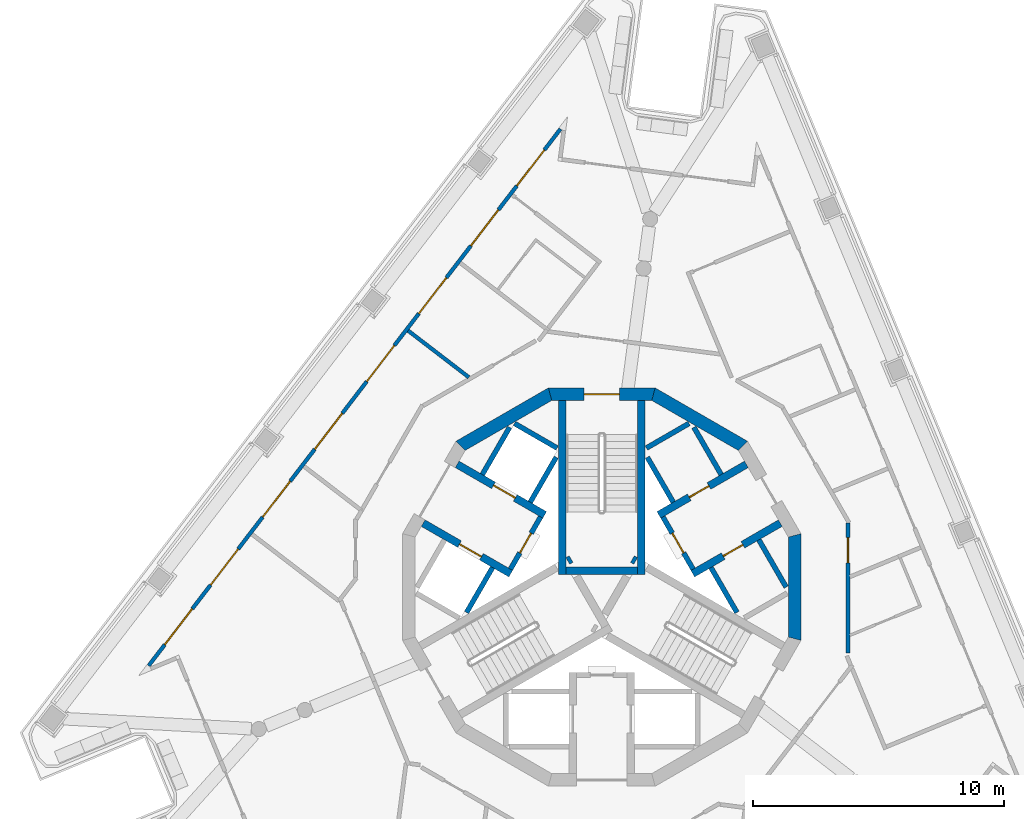
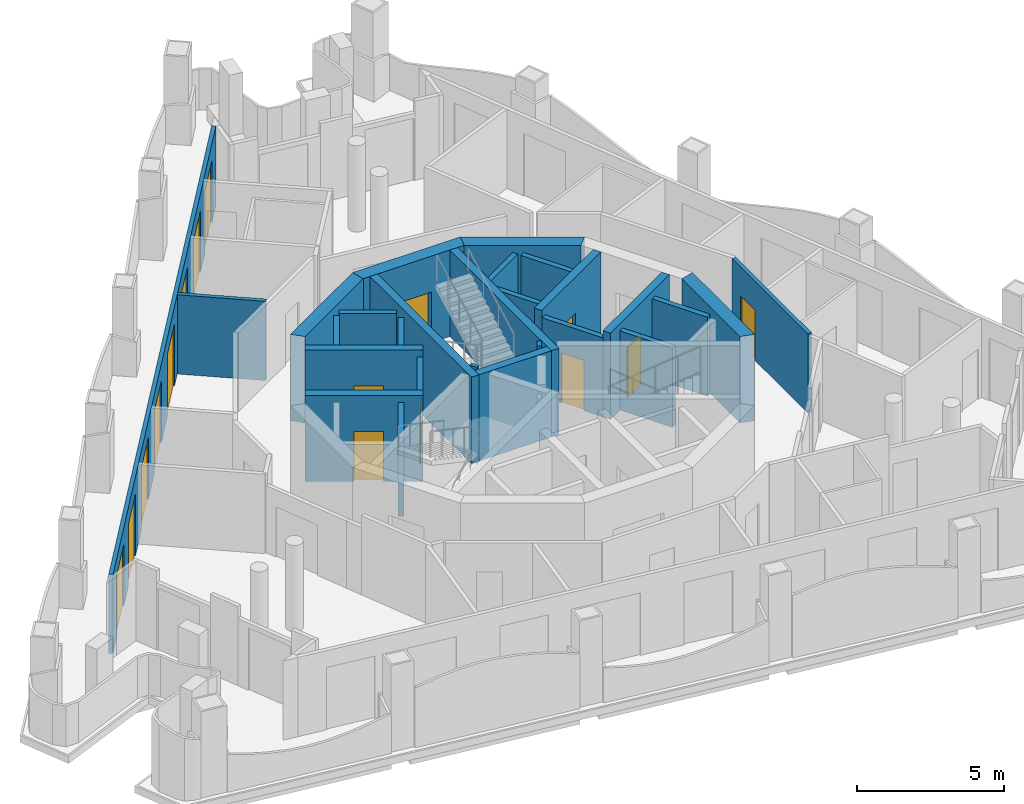
# One storey, part 4 of 12: 27 walls, 16 doors, 16 openings.
"""IFC4 building model written with IfcOpenShell, lengths in metres."""

import ifcopenshell
import ifcopenshell.guid

model = None  # the IFC model being written
_history = None  # IfcOwnerHistory: only IFC2X3 demands one
_inside = {}  # id of a spatial element -> (the spatial element, [elements in it])
_under = {}  # id of a project, library or spatial element -> (it, [spatial elements below it])
_declared = {}  # id of a project -> (the project, [libraries it declares])
_typed = {}  # id of a type object -> (the type object, [elements of that type])
_made_of = {}  # id of a material, layer set ... -> (it, [elements and type objects made of it])


def new_model(schema):
    """Start an empty IFC model of exactly this schema.

    Asked for "IFC4X3", IfcOpenShell would pick the latest addendum, in which some entities
    have other attributes; the version numbers below select the first issue.
    IFC2X3 requires an IfcOwnerHistory on every rooted entity: one is made here for all.
    """
    global model, _history
    if schema == "IFC4X3":
        model = ifcopenshell.file(schema_version=(4, 3, 0, 0))
    else:
        model = ifcopenshell.file(schema=schema)
    _inside.clear()
    _under.clear()
    _declared.clear()
    _typed.clear()
    _made_of.clear()
    _history = None
    if model.schema == "IFC2X3":
        org = make("IfcOrganization", Name="unknown")
        user = make(
            "IfcPersonAndOrganization",
            ThePerson=make("IfcPerson", FamilyName="unknown"),
            TheOrganization=org,
        )
        app = make(
            "IfcApplication",
            ApplicationDeveloper=org,
            Version="unknown",
            ApplicationFullName="unknown",
            ApplicationIdentifier="unknown",
        )
        _history = make(
            "IfcOwnerHistory",
            OwningUser=user,
            OwningApplication=app,
            ChangeAction="ADDED",
            CreationDate=0,
        )
    return model


def make(cls, **values):
    """One entity of the class cls with the attributes given. An attribute that is None is left unset."""
    return model.create_entity(
        cls, **{name: value for name, value in values.items() if value is not None}
    )


def rooted(cls, **values):
    """An entity with a GlobalId (a new one), such as an element, a storey or a relation."""
    return make(cls, GlobalId=ifcopenshell.guid.new(), OwnerHistory=_history, **values)


def si_unit(unit_type, name, prefix=None):
    """IfcSIUnit, for example si_unit("LENGTHUNIT", "METRE", prefix="MILLI")."""
    return make("IfcSIUnit", UnitType=unit_type, Prefix=prefix, Name=name)


def assignment(units):
    """IfcUnitAssignment: the units of a project."""
    return None if units is None else make("IfcUnitAssignment", Units=units)


def point(xyz):
    """IfcCartesianPoint."""
    return None if xyz is None else make("IfcCartesianPoint", Coordinates=xyz)


def direction(xyz):
    """IfcDirection."""
    return None if xyz is None else make("IfcDirection", DirectionRatios=xyz)


def frame(location, z_axis=None, x_axis=None):
    """IfcAxis2Placement3D, a coordinate frame: its origin and axes. An axis left out is left unset."""
    return make(
        "IfcAxis2Placement3D",
        Location=point(location),
        Axis=direction(z_axis),
        RefDirection=direction(x_axis),
    )


def frame_2d(location, x_axis=None):
    """IfcAxis2Placement2D, a coordinate frame in the plane: its origin and x axis."""
    return make(
        "IfcAxis2Placement2D", Location=point(location), RefDirection=direction(x_axis)
    )


def origin():
    """The frame at (0, 0, 0) with its axes left unset."""
    return frame((0.0, 0.0, 0.0))


def place(relative_to, where):
    """IfcLocalPlacement: puts the frame where relative to a parent placement (None: the world)."""
    return make(
        "IfcLocalPlacement", PlacementRelTo=relative_to, RelativePlacement=where
    )


def context(
    kind, dimensions, precision=None, world=None, true_north=None, identifier=None
):
    """IfcGeometricRepresentationContext, for example the 3D "Model" context."""
    return make(
        "IfcGeometricRepresentationContext",
        ContextIdentifier=identifier,
        ContextType=kind,
        CoordinateSpaceDimension=dimensions,
        Precision=precision,
        WorldCoordinateSystem=world,
        TrueNorth=true_north,
    )


def subcontext(parent, identifier, kind, view, scale=None):
    """IfcGeometricRepresentationSubContext, for example "Body" below "Model"."""
    return make(
        "IfcGeometricRepresentationSubContext",
        ContextIdentifier=identifier,
        ContextType=kind,
        ParentContext=parent,
        TargetScale=scale,
        TargetView=view,
    )


def project(units=None, contexts=None):
    """IfcProject with its units and contexts."""
    return rooted(
        "IfcProject",
        Name="project",
        RepresentationContexts=contexts,
        UnitsInContext=assignment(units),
    )


def spatial(cls, under=None, at=None, **own):
    """A site, building, storey or space (cls), placed at a placement, below another one or the project."""
    s = rooted(cls, ObjectPlacement=at, **own)
    if under is not None:
        _under.setdefault(under.id(), (under, []))[1].append(s)
    return s


def polyline(points):
    """IfcPolyline through the points."""
    return make("IfcPolyline", Points=[point(p) for p in points])


def profile(cls, at=None, kind="AREA", **sizes):
    """A parametric profile (cls). Its sizes go by their IFC names, for example OverallWidth=200.0."""
    return make(cls, ProfileType=kind, Position=at, **sizes)


def rectangle(**sizes):
    """IfcRectangleProfileDef."""
    return profile("IfcRectangleProfileDef", **sizes)


def outline(outer, holes=None, kind="AREA"):
    """IfcArbitraryClosedProfileDef: a profile drawn as a closed curve; with holes, ...WithVoids."""
    if holes is None:
        return make("IfcArbitraryClosedProfileDef", ProfileType=kind, OuterCurve=outer)
    return make(
        "IfcArbitraryProfileDefWithVoids",
        ProfileType=kind,
        OuterCurve=outer,
        InnerCurves=holes,
    )


def extrude(swept, where, along, depth):
    """IfcExtrudedAreaSolid: the profile swept, set in the frame where, extruded along a direction by depth."""
    return make(
        "IfcExtrudedAreaSolid",
        SweptArea=swept,
        Position=where,
        ExtrudedDirection=direction(along),
        Depth=depth,
    )


def shape(context_of_items, identifier, shape_type, items):
    """IfcShapeRepresentation: the items that make up one representation, for example the "Body"."""
    return make(
        "IfcShapeRepresentation",
        ContextOfItems=context_of_items,
        RepresentationIdentifier=identifier,
        RepresentationType=shape_type,
        Items=items,
    )


def material(Name=None, Category=None):
    """IfcMaterial."""
    return make("IfcMaterial", Name=Name, Category=Category)


def layer(
    of_material, thickness, ventilated=None, Name=None, Category=None, Priority=None
):
    """IfcMaterialLayer: one layer of a wall or slab, of a material (None: an air gap)."""
    return make(
        "IfcMaterialLayer",
        Material=of_material,
        LayerThickness=thickness,
        IsVentilated=ventilated,
        Name=Name,
        Category=Category,
        Priority=Priority,
    )


def layer_set(layers, Name=None):
    """IfcMaterialLayerSet."""
    return make("IfcMaterialLayerSet", MaterialLayers=layers, LayerSetName=Name)


def made_of(thing, what):
    """Note that an element or type object is made of a material, layer set ...; save() writes the relation."""
    if what is not None:
        _made_of.setdefault(what.id(), (what, []))[1].append(thing)
    return thing


def type_object(cls, material=None, **own):
    """A type object (cls), such as IfcWallType, which elements share."""
    return made_of(rooted(cls, **own), material)


def element(
    cls,
    number,
    at=None,
    inside=None,
    cuts=None,
    type_object=None,
    material=None,
    context=None,
    identifier="Body",
    shape_type=None,
    held_by="IfcProductDefinitionShape",
    body=None,
    shapes=None,
    **own,
):
    """One element of the class cls, such as IfcWall. Its Tag is "e" and its number.

    at: its placement. inside: the storey or other place that contains it. cuts: it is an
    opening in that element (IfcRelVoidsElement). A single representation is given by context,
    identifier, shape_type and body (its items); several are given by shapes. held_by: the class
    of the entity that holds the representations. save() writes the other relations.
    """
    e = rooted(cls, Tag="e%d" % number, ObjectPlacement=at, **own)
    if body is not None:
        shapes = [shape(context, identifier, shape_type, body)]
    if shapes is not None:
        e.Representation = make(held_by, Representations=shapes)
    if inside is not None:
        _inside.setdefault(inside.id(), (inside, []))[1].append(e)
    if cuts is not None:
        rooted(
            "IfcRelVoidsElement", RelatingBuildingElement=cuts, RelatedOpeningElement=e
        )
    if type_object is not None:
        _typed.setdefault(type_object.id(), (type_object, []))[1].append(e)
    return made_of(e, material)


def fill(opening, filler):
    """IfcRelFillsElement: the door or window that sits in an opening."""
    return rooted(
        "IfcRelFillsElement",
        RelatingOpeningElement=opening,
        RelatedBuildingElement=filler,
    )


def aggregate(whole, parts):
    """IfcRelAggregates: a whole, such as a stair, and the parts it consists of."""
    return rooted("IfcRelAggregates", RelatingObject=whole, RelatedObjects=parts)


def save(model, path):
    """Write the relations noted so far, then the file.

    IfcRelAggregates (storeys below a building ...), IfcRelContainedInSpatialStructure (elements
    in a storey), IfcRelDefinesByType, IfcRelAssociatesMaterial and IfcRelDeclares: one each for
    every whole, place, type object, material and project.
    """
    for whole, parts in _under.values():
        aggregate(whole, parts)
    for where, things in _inside.values():
        rooted(
            "IfcRelContainedInSpatialStructure",
            RelatedElements=things,
            RelatingStructure=where,
        )
    for kind, things in _typed.values():
        rooted("IfcRelDefinesByType", RelatedObjects=things, RelatingType=kind)
    for what, things in _made_of.values():
        rooted("IfcRelAssociatesMaterial", RelatedObjects=things, RelatingMaterial=what)
    for by, libraries in _declared.values():
        rooted("IfcRelDeclares", RelatingContext=by, RelatedDefinitions=libraries)
    model.write(path)


model = new_model("IFC4")

# Units and contexts
model_context = context("Model", 3, precision=1e-05, world=origin(), true_north=direction((0.0, 1.0)))
body_context = subcontext(model_context, "Body", "Model", "MODEL_VIEW")
ifc_project = project(units=[si_unit("LENGTHUNIT", "METRE"), si_unit("AREAUNIT", "SQUARE_METRE"), si_unit("VOLUMEUNIT", "CUBIC_METRE"), si_unit("PLANEANGLEUNIT", "RADIAN"), si_unit("MASSUNIT", "GRAM", prefix="KILO")], contexts=[model_context])

# Site, building, storey
site_placement = place(None, origin())
site = spatial("IfcSite", under=ifc_project, at=site_placement, CompositionType="ELEMENT")
building_placement = place(site_placement, origin())
building = spatial("IfcBuilding", under=site, at=building_placement, Name="Trine Commons Tower", CompositionType="ELEMENT")
storey_placement = place(building_placement, frame((0.0, 0.0, 282.60009765625)))
storey = spatial("IfcBuildingStorey", under=building, at=storey_placement, Name="L74", CompositionType="ELEMENT", Elevation=282.60009765625)

# Wall, openings, doors
ifc_material_1 = material(Name="Aluminium-framed insulated wall panel", Category="aluminium")
ifc_layer_1 = layer(ifc_material_1, 0.14990234375)
ifc_layer_set_1 = layer_set([ifc_layer_1], Name="Aluminium-framed insulated wall panel")
wall_type_1 = type_object("IfcWallType", Name="Glazed frame wall 150, EI 60", PredefinedType="SOLIDWALL", material=ifc_layer_set_1)
wall_1_placement = place(storey_placement, frame((61.8876953125, 59.251708984375, 0.0), z_axis=(0.0, 0.0, 1.0), x_axis=(0.608757974151, 0.793355991284, 0.0)))
wall_1 = element("IfcWall", 1, at=wall_1_placement, inside=storey, type_object=wall_type_1, Name="Glazed frame wall F1", PredefinedType="SOLIDWALL", context=body_context, shape_type="SweptSolid", body=[
    extrude(outline(polyline([(0.1494140625, 0.074951171875), (0.1494140625, -0.074951171875), (27.056884765625, -0.074951171875), (27.056884765625, 0.074951171875), (0.1494140625, 0.074951171875)])), origin(), (0.0, 0.0, 1.0), 3.2998046875),
])
opening_1_placement = place(wall_1_placement, frame((1.200439453125, 0.0, 0.0)))
opening_1 = element("IfcOpeningElement", 2, at=opening_1_placement, cuts=wall_1, Name="Opening BD-8F1-01", PredefinedType="OPENING", context=body_context, shape_type="SweptSolid", body=[
    extrude(rectangle(XDim=1.800048828125, YDim=2.60009765625, at=frame_2d((0.89990234375, 1.300048828125))), frame((0.0, 0.0849609375, 0.0), z_axis=(0.0, -1.0, 0.0), x_axis=(1.0, 0.0, 0.0)), (0.0, 0.0, 1.0), 0.169921875),
])
opening_2_placement = place(wall_1_placement, frame((4.201171875, 0.0, 0.0)))
opening_2 = element("IfcOpeningElement", 3, at=opening_2_placement, cuts=wall_1, Name="Opening BD-8F1-02", PredefinedType="OPENING", context=body_context, shape_type="SweptSolid", body=[
    extrude(rectangle(XDim=1.800048828125, YDim=2.60009765625, at=frame_2d((0.89990234375, 1.300048828125))), frame((0.0, 0.0849609375, 0.0), z_axis=(0.0, -1.0, 0.0), x_axis=(1.0, 0.0, 0.0)), (0.0, 0.0, 1.0), 0.169921875),
])
opening_3_placement = place(wall_1_placement, frame((7.60205078125, 0.0, 0.0)))
opening_3 = element("IfcOpeningElement", 4, at=opening_3_placement, cuts=wall_1, Name="Opening BD-8F1-03", PredefinedType="OPENING", context=body_context, shape_type="SweptSolid", body=[
    extrude(rectangle(XDim=1.800048828125, YDim=2.60009765625, at=frame_2d((0.89990234375, 1.300048828125))), frame((0.0, 0.0849609375, 0.0), z_axis=(0.0, -1.0, 0.0), x_axis=(1.0, 0.0, 0.0)), (0.0, 0.0, 1.0), 0.169921875),
])
opening_4_placement = place(wall_1_placement, frame((11.002685546875, 0.0, 0.0)))
opening_4 = element("IfcOpeningElement", 5, at=opening_4_placement, cuts=wall_1, Name="Opening BD-8F1-04", PredefinedType="OPENING", context=body_context, shape_type="SweptSolid", body=[
    extrude(rectangle(XDim=1.800048828125, YDim=2.60009765625, at=frame_2d((0.89990234375, 1.300048828125))), frame((0.0, 0.0849609375, 0.0), z_axis=(0.0, -1.0, 0.0), x_axis=(1.0, 0.0, 0.0)), (0.0, 0.0, 1.0), 0.169921875),
])
opening_5_placement = place(wall_1_placement, frame((14.403564453125, 0.0, 0.0)))
opening_5 = element("IfcOpeningElement", 6, at=opening_5_placement, cuts=wall_1, Name="Opening BD-8F1-05", PredefinedType="OPENING", context=body_context, shape_type="SweptSolid", body=[
    extrude(rectangle(XDim=1.800048828125, YDim=2.60009765625, at=frame_2d((0.89990234375, 1.300048828125))), frame((0.0, 0.0849609375, 0.0), z_axis=(0.0, -1.0, 0.0), x_axis=(1.0, 0.0, 0.0)), (0.0, 0.0, 1.0), 0.169921875),
])
opening_6_placement = place(wall_1_placement, frame((17.804443359375, 0.0, 0.0)))
opening_6 = element("IfcOpeningElement", 7, at=opening_6_placement, cuts=wall_1, Name="Opening BD-8F1-06", PredefinedType="OPENING", context=body_context, shape_type="SweptSolid", body=[
    extrude(rectangle(XDim=1.800048828125, YDim=2.60009765625, at=frame_2d((0.89990234375, 1.300048828125))), frame((0.0, 0.0849609375, 0.0), z_axis=(0.0, -1.0, 0.0), x_axis=(1.0, 0.0, 0.0)), (0.0, 0.0, 1.0), 0.169921875),
])
opening_7_placement = place(wall_1_placement, frame((21.205078125, 0.0, 0.0)))
opening_7 = element("IfcOpeningElement", 8, at=opening_7_placement, cuts=wall_1, Name="Opening BD-8F1-07", PredefinedType="OPENING", context=body_context, shape_type="SweptSolid", body=[
    extrude(rectangle(XDim=1.800048828125, YDim=2.60009765625, at=frame_2d((0.89990234375, 1.300048828125))), frame((0.0, 0.0849609375, 0.0), z_axis=(0.0, -1.0, 0.0), x_axis=(1.0, 0.0, 0.0)), (0.0, 0.0, 1.0), 0.169921875),
])
opening_8_placement = place(wall_1_placement, frame((24.2060546875, 0.0, 0.0)))
opening_8 = element("IfcOpeningElement", 9, at=opening_8_placement, cuts=wall_1, Name="Opening BD-8F1-08", PredefinedType="OPENING", context=body_context, shape_type="SweptSolid", body=[
    extrude(rectangle(XDim=1.800048828125, YDim=2.60009765625, at=frame_2d((0.89990234375, 1.300048828125))), frame((0.0, 0.0849609375, 0.0), z_axis=(0.0, -1.0, 0.0), x_axis=(1.0, 0.0, 0.0)), (0.0, 0.0, 1.0), 0.169921875),
])
ifc_material_2 = material(Name="Anodised aluminium frame with double glazing", Category="aluminium")
door_type_1 = type_object("IfcDoorType", Name="Sliding loggia door 1800x2600", OperationType="SLIDING_TO_LEFT", PredefinedType="DOOR", material=ifc_material_2)
door_1_placement = place(opening_1_placement, origin())
door_1 = element("IfcDoor", 10, at=door_1_placement, inside=storey, type_object=door_type_1, Name="Loggia door F1 1", OperationType="SLIDING_TO_LEFT", OverallHeight=2.60009765625, OverallWidth=1.800048828125, PredefinedType="DOOR", context=body_context, shape_type="SweptSolid", body=[
    extrude(rectangle(XDim=1.800048828125, YDim=2.60009765625, at=frame_2d((0.89990234375, 1.300048828125))), frame((0.0, 0.02490234375, 0.0), z_axis=(0.0, -1.0, 0.0), x_axis=(1.0, 0.0, 0.0)), (0.0, 0.0, 1.0), 0.050048828125),
])
fill(opening_1, door_1)
door_2_placement = place(opening_2_placement, origin())
door_2 = element("IfcDoor", 11, at=door_2_placement, inside=storey, type_object=door_type_1, Name="Loggia door F1 2", OperationType="SLIDING_TO_LEFT", OverallHeight=2.60009765625, OverallWidth=1.800048828125, PredefinedType="DOOR", context=body_context, shape_type="SweptSolid", body=[
    extrude(rectangle(XDim=1.800048828125, YDim=2.60009765625, at=frame_2d((0.89990234375, 1.300048828125))), frame((0.0, 0.02490234375, 0.0), z_axis=(0.0, -1.0, 0.0), x_axis=(1.0, 0.0, 0.0)), (0.0, 0.0, 1.0), 0.050048828125),
])
fill(opening_2, door_2)
door_3_placement = place(opening_3_placement, origin())
door_3 = element("IfcDoor", 12, at=door_3_placement, inside=storey, type_object=door_type_1, Name="Loggia door F1 3", OperationType="SLIDING_TO_LEFT", OverallHeight=2.60009765625, OverallWidth=1.800048828125, PredefinedType="DOOR", context=body_context, shape_type="SweptSolid", body=[
    extrude(rectangle(XDim=1.800048828125, YDim=2.60009765625, at=frame_2d((0.89990234375, 1.300048828125))), frame((0.0, 0.02490234375, 0.0), z_axis=(0.0, -1.0, 0.0), x_axis=(1.0, 0.0, 0.0)), (0.0, 0.0, 1.0), 0.050048828125),
])
fill(opening_3, door_3)
door_4_placement = place(opening_4_placement, origin())
door_4 = element("IfcDoor", 13, at=door_4_placement, inside=storey, type_object=door_type_1, Name="Loggia door F1 4", OperationType="SLIDING_TO_LEFT", OverallHeight=2.60009765625, OverallWidth=1.800048828125, PredefinedType="DOOR", context=body_context, shape_type="SweptSolid", body=[
    extrude(rectangle(XDim=1.800048828125, YDim=2.60009765625, at=frame_2d((0.89990234375, 1.300048828125))), frame((0.0, 0.02490234375, 0.0), z_axis=(0.0, -1.0, 0.0), x_axis=(1.0, 0.0, 0.0)), (0.0, 0.0, 1.0), 0.050048828125),
])
fill(opening_4, door_4)
door_5_placement = place(opening_5_placement, origin())
door_5 = element("IfcDoor", 14, at=door_5_placement, inside=storey, type_object=door_type_1, Name="Loggia door F1 5", OperationType="SLIDING_TO_LEFT", OverallHeight=2.60009765625, OverallWidth=1.800048828125, PredefinedType="DOOR", context=body_context, shape_type="SweptSolid", body=[
    extrude(rectangle(XDim=1.800048828125, YDim=2.60009765625, at=frame_2d((0.89990234375, 1.300048828125))), frame((0.0, 0.02490234375, 0.0), z_axis=(0.0, -1.0, 0.0), x_axis=(1.0, 0.0, 0.0)), (0.0, 0.0, 1.0), 0.050048828125),
])
fill(opening_5, door_5)
door_6_placement = place(opening_6_placement, origin())
door_6 = element("IfcDoor", 15, at=door_6_placement, inside=storey, type_object=door_type_1, Name="Loggia door F1 6", OperationType="SLIDING_TO_LEFT", OverallHeight=2.60009765625, OverallWidth=1.800048828125, PredefinedType="DOOR", context=body_context, shape_type="SweptSolid", body=[
    extrude(rectangle(XDim=1.800048828125, YDim=2.60009765625, at=frame_2d((0.89990234375, 1.300048828125))), frame((0.0, 0.02490234375, 0.0), z_axis=(0.0, -1.0, 0.0), x_axis=(1.0, 0.0, 0.0)), (0.0, 0.0, 1.0), 0.050048828125),
])
fill(opening_6, door_6)
door_7_placement = place(opening_7_placement, origin())
door_7 = element("IfcDoor", 16, at=door_7_placement, inside=storey, type_object=door_type_1, Name="Loggia door F1 7", OperationType="SLIDING_TO_LEFT", OverallHeight=2.60009765625, OverallWidth=1.800048828125, PredefinedType="DOOR", context=body_context, shape_type="SweptSolid", body=[
    extrude(rectangle(XDim=1.800048828125, YDim=2.60009765625, at=frame_2d((0.89990234375, 1.300048828125))), frame((0.0, 0.02490234375, 0.0), z_axis=(0.0, -1.0, 0.0), x_axis=(1.0, 0.0, 0.0)), (0.0, 0.0, 1.0), 0.050048828125),
])
fill(opening_7, door_7)
door_8_placement = place(opening_8_placement, origin())
door_8 = element("IfcDoor", 17, at=door_8_placement, inside=storey, type_object=door_type_1, Name="Loggia door F1 8", OperationType="SLIDING_TO_LEFT", OverallHeight=2.60009765625, OverallWidth=1.800048828125, PredefinedType="DOOR", context=body_context, shape_type="SweptSolid", body=[
    extrude(rectangle(XDim=1.800048828125, YDim=2.60009765625, at=frame_2d((0.89990234375, 1.300048828125))), frame((0.0, 0.02490234375, 0.0), z_axis=(0.0, -1.0, 0.0), x_axis=(1.0, 0.0, 0.0)), (0.0, 0.0, 1.0), 0.050048828125),
])
fill(opening_8, door_8)

# Wall, opening, door
ifc_material_3 = material(Name="Fire-rated gypsum shaft wall system")
ifc_layer_2 = layer(ifc_material_3, 0.199951171875)
ifc_layer_set_2 = layer_set([ifc_layer_2], Name="Fire-rated gypsum shaft wall system")
wall_type_2 = type_object("IfcWallType", Name="Lobby end wall 200 mm, EI 120", PredefinedType="PARTITIONING", material=ifc_layer_set_2)
wall_2_placement = place(storey_placement, frame((77.569091796875, 65.2890625, 0.0), z_axis=(0.0, 0.0, 1.0), x_axis=(-0.50012165622, -0.865955154139, 0.0)))
wall_2 = element("IfcWall", 18, at=wall_2_placement, inside=storey, type_object=wall_type_2, Name="Lobby end wall L74", PredefinedType="PARTITIONING", context=body_context, shape_type="SweptSolid", body=[
    extrude(rectangle(XDim=2.39990234375, YDim=0.199951171875, at=frame_2d((1.199951171875, 0.0))), origin(), (0.0, 0.0, 1.0), 3.2998046875),
])
opening_9_placement = place(wall_2_placement, frame((0.749755859375, 0.0, 0.0)))
opening_9 = element("IfcOpeningElement", 19, at=opening_9_placement, cuts=wall_2, Name="Opening K18.07", PredefinedType="OPENING", context=body_context, shape_type="SweptSolid", body=[
    extrude(rectangle(XDim=0.89990234375, YDim=2.10009765625, at=frame_2d((0.449951171875, 1.050048828125))), frame((0.0, 0.10986328125, 0.0), z_axis=(0.0, -1.0, 0.0), x_axis=(1.0, 0.0, 0.0)), (0.0, 0.0, 1.0), 0.219970703125),
])
ifc_material_4 = material(Name="Steel door leaf, fire-rated", Category="steel")
door_type_2 = type_object("IfcDoorType", Name="Riser access door, single leaf 900 x 2100, FD60", OperationType="SINGLE_SWING_LEFT", PredefinedType="DOOR", material=ifc_material_4)
door_9_placement = place(opening_9_placement, frame((0.89990234375, 0.0, 0.0), z_axis=(0.0, 0.0, 1.0), x_axis=(-1.0, 0.0, 0.0)))
door_9 = element("IfcDoor", 20, at=door_9_placement, inside=storey, type_object=door_type_2, Name="Riser door, Mechanical riser L74", OperationType="SINGLE_SWING_RIGHT", OverallHeight=2.10009765625, OverallWidth=0.89990234375, PredefinedType="DOOR", context=body_context, shape_type="SweptSolid", body=[
    extrude(rectangle(XDim=0.89990234375, YDim=2.10009765625, at=frame_2d((0.449951171875, 1.050048828125))), frame((0.0, 0.02490234375, 0.0), z_axis=(0.0, -1.0, 0.0), x_axis=(1.0, 0.0, 0.0)), (0.0, 0.0, 1.0), 0.050048828125),
])
fill(opening_9, door_9)

wall_3_placement = place(storey_placement, frame((83.631103515625, 63.2109375, 0.0), z_axis=(0.0, 0.0, 1.0), x_axis=(-0.50012165622, 0.865955154139, 0.0)))
wall_3 = element("IfcWall", 21, at=wall_3_placement, inside=storey, type_object=wall_type_2, Name="Lobby end wall L74", PredefinedType="PARTITIONING", context=body_context, shape_type="SweptSolid", body=[
    extrude(rectangle(XDim=2.39990234375, YDim=0.199951171875, at=frame_2d((1.199951171875, 0.0))), origin(), (0.0, 0.0, 1.0), 3.2998046875),
])
opening_10_placement = place(wall_3_placement, frame((0.749755859375, 0.0, 0.0)))
opening_10 = element("IfcOpeningElement", 22, at=opening_10_placement, cuts=wall_3, Name="Opening K18.05", PredefinedType="OPENING", context=body_context, shape_type="SweptSolid", body=[
    extrude(rectangle(XDim=0.89990234375, YDim=2.10009765625, at=frame_2d((0.449951171875, 1.050048828125))), frame((0.0, 0.10986328125, 0.0), z_axis=(0.0, -1.0, 0.0), x_axis=(1.0, 0.0, 0.0)), (0.0, 0.0, 1.0), 0.219970703125),
])
door_10_placement = place(opening_10_placement, frame((0.89990234375, 0.0, 0.0), z_axis=(0.0, 0.0, 1.0), x_axis=(-1.0, 0.0, 0.0)))
door_10 = element("IfcDoor", 23, at=door_10_placement, inside=storey, type_object=door_type_2, Name="Riser door, Electrical riser L74", OperationType="SINGLE_SWING_LEFT", OverallHeight=2.10009765625, OverallWidth=0.89990234375, PredefinedType="DOOR", context=body_context, shape_type="SweptSolid", body=[
    extrude(rectangle(XDim=0.89990234375, YDim=2.10009765625, at=frame_2d((0.449951171875, 1.050048828125))), frame((0.0, 0.02490234375, 0.0), z_axis=(0.0, -1.0, 0.0), x_axis=(1.0, 0.0, 0.0)), (0.0, 0.0, 1.0), 0.050048828125),
])
fill(opening_10, door_10)

ifc_material_5 = material(Name="Concrete C50/60", Category="concrete")
ifc_layer_3 = layer(ifc_material_5, 0.300048828125)
ifc_layer_set_3 = layer_set([ifc_layer_3], Name="Concrete C50/60")
wall_type_3 = type_object("IfcWallType", Name="RC shear wall 300 mm, C50/60", PredefinedType="SHEAR", material=ifc_layer_set_3)
wall_4_placement = place(storey_placement, frame((76.381103515625, 63.031005859375, 0.0), z_axis=(0.0, 0.0, 1.0), x_axis=(-0.866071331441, 0.499920442526, 0.0)))
wall_4 = element("IfcWall", 24, at=wall_4_placement, inside=storey, type_object=wall_type_3, Name="Core cross wall SWD-01 L74", PredefinedType="SHEAR", context=body_context, shape_type="SweptSolid", body=[
    extrude(rectangle(XDim=4.020751953125, YDim=0.300048828125, at=frame_2d((2.01025390625, 0.0))), origin(), (0.0, 0.0, 1.0), 3.599853515625),
])
opening_11_placement = place(wall_4_placement, frame((1.350341796875, 0.0, 0.0)))
opening_11 = element("IfcOpeningElement", 25, at=opening_11_placement, cuts=wall_4, Name="Opening LD7", PredefinedType="OPENING", context=body_context, shape_type="SweptSolid", body=[
    extrude(rectangle(XDim=1.0, YDim=2.10009765625, at=frame_2d((0.5, 1.050048828125))), frame((0.0, 0.159912109375, 0.0), z_axis=(0.0, -1.0, 0.0), x_axis=(1.0, 0.0, 0.0)), (0.0, 0.0, 1.0), 0.320068359375),
])
ifc_material_6 = material(Name="Stainless steel sliding door leaves", Category="steel")
door_type_3 = type_object("IfcDoorType", Name="Lift landing door, centre-opening sliding 1000 x 2100, FD90", OperationType="DOUBLE_DOOR_SLIDING", PredefinedType="DOOR", material=ifc_material_6)
door_11_placement = place(opening_11_placement, origin())
door_11 = element("IfcDoor", 26, at=door_11_placement, inside=storey, type_object=door_type_3, Name="Lift landing door HR3 L74", OperationType="DOUBLE_DOOR_SLIDING", OverallHeight=2.10009765625, OverallWidth=1.0, PredefinedType="DOOR", context=body_context, shape_type="SweptSolid", body=[
    extrude(rectangle(XDim=1.0, YDim=2.10009765625, at=frame_2d((0.5, 1.050048828125))), frame((0.0, 0.02490234375, 0.0), z_axis=(0.0, -1.0, 0.0), x_axis=(1.0, 0.0, 0.0)), (0.0, 0.0, 1.0), 0.050048828125),
])
fill(opening_11, door_11)

wall_5_placement = place(storey_placement, frame((77.73095703125, 65.368896484375, 0.0), z_axis=(0.0, 0.0, 1.0), x_axis=(-0.866056154689, 0.499946734088, 0.0)))
wall_5 = element("IfcWall", 27, at=wall_5_placement, inside=storey, type_object=wall_type_3, Name="Core cross wall SWD-02 L74", PredefinedType="SHEAR", context=body_context, shape_type="SweptSolid", body=[
    extrude(rectangle(XDim=4.0205078125, YDim=0.300048828125, at=frame_2d((2.01025390625, 0.0))), origin(), (0.0, 0.0, 1.0), 3.599853515625),
])
opening_12_placement = place(wall_5_placement, frame((1.350341796875, 0.0, 0.0)))
opening_12 = element("IfcOpeningElement", 28, at=opening_12_placement, cuts=wall_5, Name="Opening LD8", PredefinedType="OPENING", context=body_context, shape_type="SweptSolid", body=[
    extrude(rectangle(XDim=1.0, YDim=2.10009765625, at=frame_2d((0.5, 1.050048828125))), frame((0.0, 0.159912109375, 0.0), z_axis=(0.0, -1.0, 0.0), x_axis=(1.0, 0.0, 0.0)), (0.0, 0.0, 1.0), 0.320068359375),
])
door_12_placement = place(opening_12_placement, origin())
door_12 = element("IfcDoor", 29, at=door_12_placement, inside=storey, type_object=door_type_3, Name="Lift landing door HR4 L74", OperationType="DOUBLE_DOOR_SLIDING", OverallHeight=2.10009765625, OverallWidth=1.0, PredefinedType="DOOR", context=body_context, shape_type="SweptSolid", body=[
    extrude(rectangle(XDim=1.0, YDim=2.10009765625, at=frame_2d((0.5, 1.050048828125))), frame((0.0, 0.02490234375, 0.0), z_axis=(0.0, -1.0, 0.0), x_axis=(1.0, 0.0, 0.0)), (0.0, 0.0, 1.0), 0.050048828125),
])
fill(opening_12, door_12)

wall_6_placement = place(storey_placement, frame((82.26904296875, 65.368896484375, 0.0), z_axis=(0.0, 0.0, 1.0), x_axis=(0.866056154689, 0.499946734088, 0.0)))
wall_6 = element("IfcWall", 30, at=wall_6_placement, inside=storey, type_object=wall_type_3, Name="Core cross wall SWD-05 L74", PredefinedType="SHEAR", context=body_context, shape_type="SweptSolid", body=[
    extrude(rectangle(XDim=4.0205078125, YDim=0.300048828125, at=frame_2d((2.01025390625, 0.0))), origin(), (0.0, 0.0, 1.0), 3.599853515625),
])
opening_13_placement = place(wall_6_placement, frame((1.400390625, 0.0, 0.0)))
opening_13 = element("IfcOpeningElement", 31, at=opening_13_placement, cuts=wall_6, Name="Opening K18.10", PredefinedType="OPENING", context=body_context, shape_type="SweptSolid", body=[
    extrude(rectangle(XDim=0.89990234375, YDim=2.10009765625, at=frame_2d((0.449951171875, 1.050048828125))), frame((0.0, 0.159912109375, 0.0), z_axis=(0.0, -1.0, 0.0), x_axis=(1.0, 0.0, 0.0)), (0.0, 0.0, 1.0), 0.320068359375),
])
door_type_4 = type_object("IfcDoorType", Name="Core room door, single leaf 900 x 2100, FD30S", OperationType="SINGLE_SWING_LEFT", PredefinedType="DOOR", material=ifc_material_4)
door_13_placement = place(opening_13_placement, origin())
door_13 = element("IfcDoor", 32, at=door_13_placement, inside=storey, type_object=door_type_4, Name="Door to Comms room L74", OperationType="SINGLE_SWING_LEFT", OverallHeight=2.10009765625, OverallWidth=0.89990234375, PredefinedType="DOOR", context=body_context, shape_type="SweptSolid", body=[
    extrude(rectangle(XDim=0.89990234375, YDim=2.10009765625, at=frame_2d((0.449951171875, 1.050048828125))), frame((0.0, 0.02490234375, 0.0), z_axis=(0.0, -1.0, 0.0), x_axis=(1.0, 0.0, 0.0)), (0.0, 0.0, 1.0), 0.050048828125),
])
fill(opening_13, door_13)

wall_7_placement = place(storey_placement, frame((83.618896484375, 63.031005859375, 0.0), z_axis=(0.0, 0.0, 1.0), x_axis=(0.866071331441, 0.499920442526, 0.0)))
wall_7 = element("IfcWall", 33, at=wall_7_placement, inside=storey, type_object=wall_type_3, Name="Core cross wall SWD-06 L74", PredefinedType="SHEAR", context=body_context, shape_type="SweptSolid", body=[
    extrude(rectangle(XDim=4.020751953125, YDim=0.300048828125, at=frame_2d((2.01025390625, 0.0))), origin(), (0.0, 0.0, 1.0), 3.599853515625),
])
opening_14_placement = place(wall_7_placement, frame((1.400390625, 0.0, 0.0)))
opening_14 = element("IfcOpeningElement", 34, at=opening_14_placement, cuts=wall_7, Name="Opening K18.11", PredefinedType="OPENING", context=body_context, shape_type="SweptSolid", body=[
    extrude(rectangle(XDim=0.89990234375, YDim=2.10009765625, at=frame_2d((0.449951171875, 1.050048828125))), frame((0.0, 0.159912109375, 0.0), z_axis=(0.0, -1.0, 0.0), x_axis=(1.0, 0.0, 0.0)), (0.0, 0.0, 1.0), 0.320068359375),
])
door_14_placement = place(opening_14_placement, frame((0.89990234375, 0.0, 0.0), z_axis=(0.0, 0.0, 1.0), x_axis=(-1.0, 0.0, 0.0)))
door_14 = element("IfcDoor", 35, at=door_14_placement, inside=storey, type_object=door_type_4, Name="Door to Parcel store L74", OperationType="SINGLE_SWING_LEFT", OverallHeight=2.10009765625, OverallWidth=0.89990234375, PredefinedType="DOOR", context=body_context, shape_type="SweptSolid", body=[
    extrude(rectangle(XDim=0.89990234375, YDim=2.10009765625, at=frame_2d((0.449951171875, 1.050048828125))), frame((0.0, 0.02490234375, 0.0), z_axis=(0.0, -1.0, 0.0), x_axis=(1.0, 0.0, 0.0)), (0.0, 0.0, 1.0), 0.050048828125),
])
fill(opening_14, door_14)

# Walls
wall_8_placement = place(storey_placement, frame((78.425048828125, 63.0009765625, 0.0), z_axis=(0.0, 0.0, 1.0), x_axis=(0.0, 1.0, 0.0)))
element("IfcWall", 36, at=wall_8_placement, inside=storey, type_object=wall_type_3, Name="Core cross wall SWD-08 L74", PredefinedType="SHEAR", context=body_context, shape_type="SweptSolid", body=[
    extrude(rectangle(XDim=6.919921875, YDim=0.300048828125, at=frame_2d((3.4599609375, 0.0))), origin(), (0.0, 0.0, 1.0), 3.599853515625),
])
for number, where, z_axis, x_axis, name in (
    (37, (78.779052734375, 63.614013671875, 0.0), (0.0, 0.0, 1.0), (-0.867737973955, -0.497021939713, 0.0), "Core cross wall SWD-09 L74"),
    (38, (81.220947265625, 63.614013671875, 0.0), (0.0, 0.0, 1.0), (0.867737973955, -0.497021939713, 0.0), "Core cross wall SWD-15 L74"),
):
    element("IfcWall", number, at=place(storey_placement, frame(where, z_axis=z_axis, x_axis=x_axis)), inside=storey, type_object=wall_type_3, Name=name, PredefinedType="SHEAR", context=body_context, shape_type="SweptSolid", body=[
        extrude(rectangle(XDim=0.14892578125, YDim=0.300048828125, at=frame_2d((0.074462890625, 0.0))), origin(), (0.0, 0.0, 1.0), 3.599853515625),
    ])
wall_9_placement = place(storey_placement, frame((81.425048828125, 63.15087890625, 0.0), z_axis=(0.0, 0.0, 1.0), x_axis=(-1.0, 0.0, 0.0)))
element("IfcWall", 39, at=wall_9_placement, inside=storey, type_object=wall_type_3, Name="Core cross wall SWD-16 L74", PredefinedType="SHEAR", context=body_context, shape_type="SweptSolid", body=[
    extrude(rectangle(XDim=2.85009765625, YDim=0.300048828125, at=frame_2d((1.425048828125, 0.0))), origin(), (0.0, 0.0, 1.0), 3.599853515625),
])
wall_10_placement = place(storey_placement, frame((81.574951171875, 63.0009765625, 0.0), z_axis=(0.0, 0.0, 1.0), x_axis=(0.0, 1.0, 0.0)))
element("IfcWall", 40, at=wall_10_placement, inside=storey, type_object=wall_type_3, Name="Core cross wall SWD-17 L74", PredefinedType="SHEAR", context=body_context, shape_type="SweptSolid", body=[
    extrude(rectangle(XDim=6.919921875, YDim=0.300048828125, at=frame_2d((3.4599609375, 0.0))), origin(), (0.0, 0.0, 1.0), 3.599853515625),
])
ifc_layer_4 = layer(ifc_material_5, 0.5)
ifc_layer_set_4 = layer_set([ifc_layer_4], Name="Concrete C50/60")
wall_type_4 = type_object("IfcWallType", Name="RC shear wall 500 mm, C50/60", PredefinedType="SHEAR", material=ifc_layer_set_4)
for number, where, z_axis, x_axis, name in (
    (41, (87.670654296875, 60.377685546875, 0.0), (0.0, 0.0, 1.0), (0.0, 1.0, 0.0), "Core wall CWH-01 L74"),
    (42, (85.67333984375, 68.081787109375, 0.0), (0.0, 0.0, 1.0), (-0.866029463428, 0.499992968425, 0.0), "Core wall CWH-03 L74"),
):
    element("IfcWall", number, at=place(storey_placement, frame(where, z_axis=z_axis, x_axis=x_axis)), inside=storey, type_object=wall_type_4, Name=name, PredefinedType="SHEAR", context=body_context, shape_type="SweptSolid", body=[
        extrude(outline(polyline([(0.0, -0.25), (4.24462890625, -0.25), (4.110595703125, 0.25), (0.134033203125, 0.25), (0.0, -0.25)])), origin(), (0.0, 0.0, 1.0), 3.599853515625),
    ])

# Wall, opening, door
wall_11_placement = place(storey_placement, frame((82.122314453125, 70.170654296875, 0.0), z_axis=(0.0, 0.0, 1.0), x_axis=(-1.0, 0.0, 0.0)))
wall_11 = element("IfcWall", 43, at=wall_11_placement, inside=storey, type_object=wall_type_4, Name="Core wall CWH-04 L74", PredefinedType="SHEAR", context=body_context, shape_type="SweptSolid", body=[
    extrude(outline(polyline([(0.0, -0.25), (4.24462890625, -0.25), (4.110595703125, 0.25), (0.134033203125, 0.25), (0.0, -0.25)])), origin(), (0.0, 0.0, 1.0), 3.599853515625),
])
opening_15_placement = place(wall_11_placement, frame((1.42236328125, 0.0, 0.0)))
opening_15 = element("IfcOpeningElement", 44, at=opening_15_placement, cuts=wall_11, Name="Opening K18.01", PredefinedType="OPENING", context=body_context, shape_type="SweptSolid", body=[
    extrude(rectangle(XDim=1.39990234375, YDim=2.10009765625, at=frame_2d((0.699951171875, 1.050048828125))), frame((0.0, 0.260009765625, 0.0), z_axis=(0.0, -1.0, 0.0), x_axis=(1.0, 0.0, 0.0)), (0.0, 0.0, 1.0), 0.52001953125),
])
ifc_material_7 = material(Name="Steel door leaves, fire-rated", Category="steel")
door_type_5 = type_object("IfcDoorType", Name="Stair door, double leaf 1400 x 2100, FD90", OperationType="DOUBLE_DOOR_SINGLE_SWING", PredefinedType="DOOR", material=ifc_material_7)
door_15_placement = place(opening_15_placement, origin())
door_15 = element("IfcDoor", 45, at=door_15_placement, inside=storey, type_object=door_type_5, Name="Stair door to Exit stair ST1D L74", OperationType="DOUBLE_DOOR_SINGLE_SWING", OverallHeight=2.10009765625, OverallWidth=1.39990234375, PredefinedType="DOOR", context=body_context, shape_type="SweptSolid", body=[
    extrude(rectangle(XDim=1.39990234375, YDim=2.10009765625, at=frame_2d((0.699951171875, 1.050048828125))), frame((0.0, 0.02490234375, 0.0), z_axis=(0.0, -1.0, 0.0), x_axis=(1.0, 0.0, 0.0)), (0.0, 0.0, 1.0), 0.050048828125),
])
fill(opening_15, door_15)

# Walls
wall_12_placement = place(storey_placement, frame((78.002685546875, 70.2041015625, 0.0), z_axis=(0.0, 0.0, 1.0), x_axis=(-0.866029463428, -0.499992968425, 0.0)))
element("IfcWall", 46, at=wall_12_placement, inside=storey, type_object=wall_type_4, Name="Core wall CWH-05 L74", PredefinedType="SHEAR", context=body_context, shape_type="SweptSolid", body=[
    extrude(outline(polyline([(0.0, -0.25), (4.24462890625, -0.25), (4.110595703125, 0.25), (0.134033203125, 0.25), (0.0, -0.25)])), origin(), (0.0, 0.0, 1.0), 3.599853515625),
])
ifc_layer_5 = layer(ifc_material_3, 0.199951171875)
ifc_layer_set_5 = layer_set([ifc_layer_5], Name="Fire-rated gypsum shaft wall system")
wall_type_5 = type_object("IfcWallType", Name="Shaft wall 200 mm, EI 120", PredefinedType="PARTITIONING", material=ifc_layer_set_5)
wall_13_placement = place(storey_placement, frame((75.2509765625, 66.97412109375, 0.0), z_axis=(0.0, 0.0, 1.0), x_axis=(0.500060114735, 0.865990693744, 0.0)))
element("IfcWall", 47, at=wall_13_placement, inside=storey, type_object=wall_type_5, Name="Shaft wall L74", PredefinedType="PARTITIONING", context=body_context, shape_type="SweptSolid", body=[
    extrude(rectangle(XDim=2.169677734375, YDim=0.199951171875, at=frame_2d((1.0849609375, 0.0))), origin(), (0.0, 0.0, 1.0), 3.2998046875),
])
wall_14_placement = place(storey_placement, frame((75.656005859375, 63.27587890625, 0.0), z_axis=(0.0, 0.0, 1.0), x_axis=(-0.500271688072, -0.86586848777, 0.0)))
element("IfcWall", 48, at=wall_14_placement, inside=storey, type_object=wall_type_5, Name="Shaft wall L74", PredefinedType="PARTITIONING", context=body_context, shape_type="SweptSolid", body=[
    extrude(rectangle(XDim=2.064697265625, YDim=0.199951171875, at=frame_2d((1.0322265625, 0.0))), origin(), (0.0, 0.0, 1.0), 3.2998046875),
])
wall_15_placement = place(storey_placement, frame((77.156005859375, 65.8740234375, 0.0), z_axis=(0.0, 0.0, 1.0), x_axis=(0.499865770674, 0.866102887253, 0.0)))
element("IfcWall", 49, at=wall_15_placement, inside=storey, type_object=wall_type_5, Name="Shaft wall L74", PredefinedType="PARTITIONING", context=body_context, shape_type="SweptSolid", body=[
    extrude(rectangle(XDim=2.064453125, YDim=0.199951171875, at=frame_2d((1.0322265625, 0.0))), origin(), (0.0, 0.0, 1.0), 3.2998046875),
])
for number, where, z_axis, x_axis, name in (
    (50, (78.22509765625, 68.028076171875, 0.0), (0.0, 0.0, 1.0), (-0.866071410914, 0.499920304846, 0.0), "Shaft wall L74"),
    (51, (81.77490234375, 68.028076171875, 0.0), (0.0, 0.0, 1.0), (0.866071410914, 0.499920304846, 0.0), "Shaft wall L74"),
):
    element("IfcWall", number, at=place(storey_placement, frame(where, z_axis=z_axis, x_axis=x_axis)), inside=storey, type_object=wall_type_5, Name=name, PredefinedType="PARTITIONING", context=body_context, shape_type="SweptSolid", body=[
        extrude(rectangle(XDim=1.958251953125, YDim=0.199951171875, at=frame_2d((0.97900390625, 0.0))), origin(), (0.0, 0.0, 1.0), 3.2998046875),
    ])
wall_16_placement = place(storey_placement, frame((82.843994140625, 65.8740234375, 0.0), z_axis=(0.0, 0.0, 1.0), x_axis=(-0.499865770674, 0.866102887253, 0.0)))
element("IfcWall", 52, at=wall_16_placement, inside=storey, type_object=wall_type_5, Name="Shaft wall L74", PredefinedType="PARTITIONING", context=body_context, shape_type="SweptSolid", body=[
    extrude(rectangle(XDim=2.064453125, YDim=0.199951171875, at=frame_2d((1.0322265625, 0.0))), origin(), (0.0, 0.0, 1.0), 3.2998046875),
])
wall_17_placement = place(storey_placement, frame((84.343994140625, 63.27587890625, 0.0), z_axis=(0.0, 0.0, 1.0), x_axis=(0.500271688072, -0.86586848777, 0.0)))
element("IfcWall", 53, at=wall_17_placement, inside=storey, type_object=wall_type_5, Name="Shaft wall L74", PredefinedType="PARTITIONING", context=body_context, shape_type="SweptSolid", body=[
    extrude(rectangle(XDim=2.064697265625, YDim=0.199951171875, at=frame_2d((1.0322265625, 0.0))), origin(), (0.0, 0.0, 1.0), 3.2998046875),
])
wall_18_placement = place(storey_placement, frame((84.7490234375, 66.97412109375, 0.0), z_axis=(0.0, 0.0, 1.0), x_axis=(-0.500060114735, 0.865990693744, 0.0)))
element("IfcWall", 54, at=wall_18_placement, inside=storey, type_object=wall_type_5, Name="Shaft wall L74", PredefinedType="PARTITIONING", context=body_context, shape_type="SweptSolid", body=[
    extrude(rectangle(XDim=2.169677734375, YDim=0.199951171875, at=frame_2d((1.0849609375, 0.0))), origin(), (0.0, 0.0, 1.0), 3.2998046875),
])
wall_19_placement = place(storey_placement, frame((86.2490234375, 64.3759765625, 0.0), z_axis=(0.0, 0.0, 1.0), x_axis=(0.499865263774, -0.866103179807, 0.0)))
element("IfcWall", 55, at=wall_19_placement, inside=storey, type_object=wall_type_5, Name="Shaft wall L74", PredefinedType="PARTITIONING", context=body_context, shape_type="SweptSolid", body=[
    extrude(rectangle(XDim=2.17041015625, YDim=0.199951171875, at=frame_2d((1.085205078125, 0.0))), origin(), (0.0, 0.0, 1.0), 3.2998046875),
])
ifc_material_8 = material(Name="Gypsum plasterboard on steel stud", Category="steel")
ifc_layer_6 = layer(ifc_material_8, 0.14990234375)
ifc_layer_set_6 = layer_set([ifc_layer_6], Name="Gypsum plasterboard on steel stud")
wall_type_6 = type_object("IfcWallType", Name="Unit and corridor wall 150 mm, EI 60", PredefinedType="PARTITIONING", material=ifc_layer_set_6)
wall_20_placement = place(storey_placement, frame((72.298583984375, 72.696533203125, 0.0), z_axis=(0.0, 0.0, 1.0), x_axis=(0.793299429492, -0.60883168049, 0.0)))
element("IfcWall", 56, at=wall_20_placement, inside=storey, type_object=wall_type_6, Name="Partition 011", PredefinedType="PARTITIONING", context=body_context, shape_type="SweptSolid", body=[
    extrude(rectangle(XDim=3.048095703125, YDim=0.14990234375, at=frame_2d((1.52392578125, 0.0))), origin(), (0.0, 0.0, 1.0), 3.2998046875),
])

# Wall, opening, door
wall_21_placement = place(storey_placement, frame((89.7958984375, 59.875, 0.0), z_axis=(0.0, 0.0, 1.0), x_axis=(0.0, 1.0, 0.0)))
wall_21 = element("IfcWall", 57, at=wall_21_placement, inside=storey, type_object=wall_type_6, Name="Partition 046", PredefinedType="PARTITIONING", context=body_context, shape_type="SweptSolid", body=[
    extrude(rectangle(XDim=5.175048828125, YDim=0.14990234375, at=frame_2d((2.58740234375, 0.0))), origin(), (0.0, 0.0, 1.0), 3.2998046875),
])
opening_16_placement = place(wall_21_placement, frame((3.587890625, 0.0, 0.0)))
opening_16 = element("IfcOpeningElement", 58, at=opening_16_placement, cuts=wall_21, Name="Opening D-8B10", PredefinedType="OPENING", context=body_context, shape_type="SweptSolid", body=[
    extrude(rectangle(XDim=1.0, YDim=2.10009765625, at=frame_2d((0.5, 1.050048828125))), frame((0.0, 0.0849609375, 0.0), z_axis=(0.0, -1.0, 0.0), x_axis=(1.0, 0.0, 0.0)), (0.0, 0.0, 1.0), 0.169921875),
])
ifc_material_9 = material(Name="Painted timber", Category="wood")
door_type_6 = type_object("IfcDoorType", Name="Toilet door 1000 x 2100, NOT RATED", OperationType="NOTDEFINED", PredefinedType="DOOR", material=ifc_material_9)
door_16_placement = place(opening_16_placement, frame((1.0, 0.0, 0.0), z_axis=(0.0, 0.0, 1.0), x_axis=(-1.0, 0.0, 0.0)))
door_16 = element("IfcDoor", 59, at=door_16_placement, inside=storey, type_object=door_type_6, Name="Door D-8B10", OperationType="SINGLE_SWING_LEFT", OverallHeight=2.10009765625, OverallWidth=1.0, PredefinedType="DOOR", context=body_context, shape_type="SweptSolid", body=[
    extrude(rectangle(XDim=1.0, YDim=2.10009765625, at=frame_2d((0.5, 1.050048828125))), frame((0.0, 0.02490234375, 0.0), z_axis=(0.0, -1.0, 0.0), x_axis=(1.0, 0.0, 0.0)), (0.0, 0.0, 1.0), 0.050048828125),
])
fill(opening_16, door_16)

save(model, "model.ifc")
